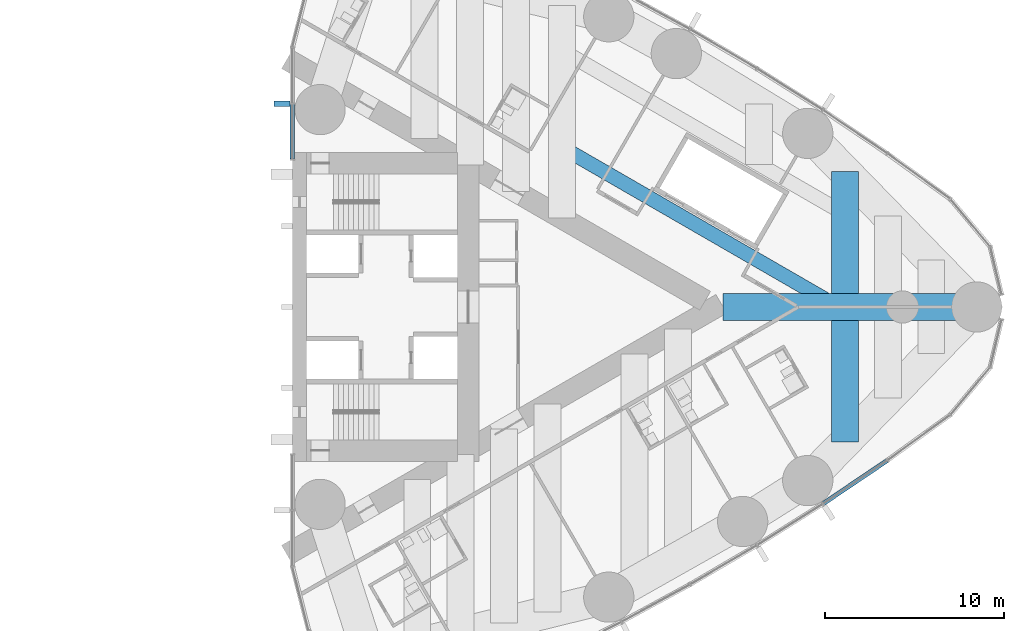
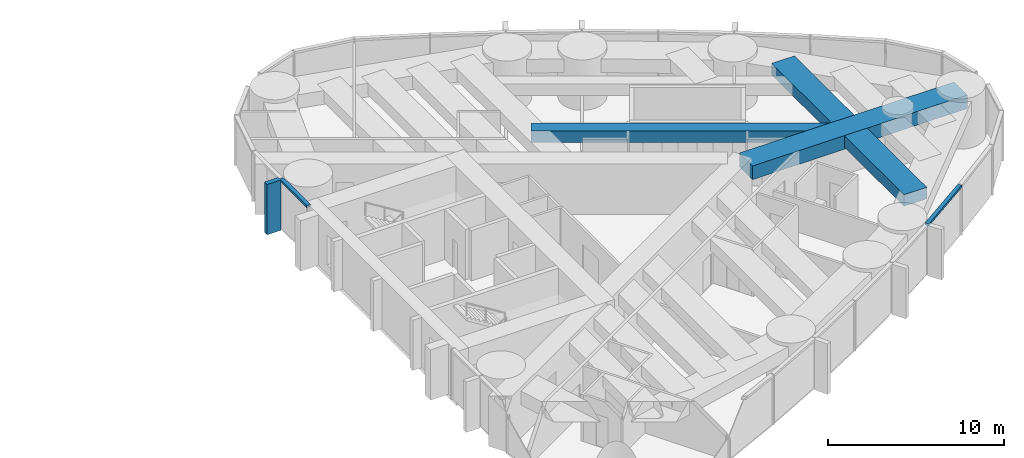
# One storey, part 7 of 19: 4 beams, 3 members, 2 elements without a shape of their own.
"""IFC4 building model written with IfcOpenShell, lengths in metres."""

from ifc_helpers import new_model, si_unit, direction, frame, origin, origin_2d, place, context, subcontext, project, spatial, rectangle, hollow_rectangle, extrude, material, material_profile, profile_set, type_object, element, aggregate, save


model = new_model("IFC4")

# Units and contexts
model_context = context("Model", 3, precision=1e-05, world=origin(), true_north=direction((0.0, 1.0)))
body_context = subcontext(model_context, "Body", "Model", "MODEL_VIEW")
ifc_project = project(units=[si_unit("LENGTHUNIT", "METRE"), si_unit("AREAUNIT", "SQUARE_METRE"), si_unit("VOLUMEUNIT", "CUBIC_METRE"), si_unit("PLANEANGLEUNIT", "RADIAN"), si_unit("MASSUNIT", "GRAM", prefix="KILO")], contexts=[model_context])

# Site, building, storey
site_placement = place(None, origin())
site = spatial("IfcSite", under=ifc_project, at=site_placement, CompositionType="ELEMENT")
building_placement = place(site_placement, origin())
building = spatial("IfcBuilding", under=site, at=building_placement, Name="Lancet Gate Hotel", CompositionType="ELEMENT")
storey_placement = place(building_placement, frame((0.0, 0.0, 173.800048828125)))
storey = spatial("IfcBuildingStorey", under=building, at=storey_placement, Name="L46", CompositionType="ELEMENT", Elevation=173.800048828125)

# Curtain wall, member
ifc_material_1 = material(Name="Aluminium curtain wall", Category="aluminium")
curtain_wall_type = type_object("IfcCurtainWallType", Name="Tower unitised curtain wall", PredefinedType="USERDEFINED", material=ifc_material_1)
curtain_wall_1_placement = place(storey_placement, origin())
curtain_wall_1 = element("IfcCurtainWall", 1, at=curtain_wall_1_placement, inside=storey, type_object=curtain_wall_type, Name="T2 L46 curtain wall 2", ObjectType="UNITISED CURTAIN WALL", PredefinedType="USERDEFINED")
ifc_material_2 = material(Name="Aluminium transom", Category="aluminium")
ifc_material_profile_1 = material_profile(ifc_material_2, rectangle(XDim=0.25, YDim=0.14990234375, at=origin_2d()), Name="TRANSOM 250x150")
ifc_profile_set_1 = profile_set([ifc_material_profile_1], Name="Aluminium transom")
member_type_1 = type_object("IfcMemberType", Name="Aluminium transom 250x150", PredefinedType="USERDEFINED", material=ifc_profile_set_1)
member_1_placement = place(storey_placement, frame((57.093994140625, -10.952880859375, 3.425048828125), z_axis=(0.829046850689, 0.559179147826, 0.0), x_axis=(-0.559179147826, 0.829046850689, 0.0)))
member_1 = element("IfcMember", 2, at=member_1_placement, type_object=member_type_1, Name="T2 L46 curtain wall 2 transom 8", ObjectType="TRANSOM", PredefinedType="USERDEFINED", context=body_context, shape_type="SweptSolid", body=[
    extrude(rectangle(XDim=0.25, YDim=0.14990234375, at=origin_2d()), origin(), (0.0, 0.0, 1.0), 4.26904296875),
])
aggregate(curtain_wall_1, [member_1])

# Curtain wall, members
curtain_wall_2_placement = place(storey_placement, origin())
curtain_wall_2 = element("IfcCurtainWall", 3, at=curtain_wall_2_placement, inside=storey, type_object=curtain_wall_type, Name="T2 L46 curtain wall 4", ObjectType="UNITISED CURTAIN WALL", PredefinedType="USERDEFINED")
member_2_placement = place(storey_placement, frame((27.5, 11.30029296875, 3.425048828125), z_axis=(0.0, -1.0, 0.0), x_axis=(1.0, 0.0, 0.0)))
member_2 = element("IfcMember", 4, at=member_2_placement, type_object=member_type_1, Name="T2 L46 curtain wall 4 transom 4", ObjectType="TRANSOM", PredefinedType="USERDEFINED", context=body_context, shape_type="SweptSolid", body=[
    extrude(rectangle(XDim=0.25, YDim=0.14990234375, at=origin_2d()), origin(), (0.0, 0.0, 1.0), 3.06787109375),
])
ifc_material_3 = material(Name="Precast concrete C50/60", Category="concrete")
ifc_material_profile_2 = material_profile(ifc_material_3, rectangle(XDim=0.300048828125, YDim=0.89990234375, at=origin_2d()), Name="FIN 300x900")
ifc_profile_set_2 = profile_set([ifc_material_profile_2], Name="Precast concrete C50/60")
member_type_2 = type_object("IfcMemberType", Name="Exposed concrete fin 300x900", PredefinedType="USERDEFINED", material=ifc_profile_set_2)
member_3_placement = place(storey_placement, frame((26.925048828125, 11.332763671875, 0.0), z_axis=(0.0, 0.0, 1.0), x_axis=(0.0, -1.0, 0.0)))
member_3 = element("IfcMember", 5, at=member_3_placement, type_object=member_type_2, Name="T2 L46 curtain wall 4 fin 4", ObjectType="FIN", PredefinedType="USERDEFINED", context=body_context, shape_type="SweptSolid", body=[
    extrude(rectangle(XDim=0.300048828125, YDim=0.89990234375, at=origin_2d()), origin(), (0.0, 0.0, 1.0), 3.5),
])
aggregate(curtain_wall_2, [member_3, member_2])

# Beams
ifc_material_4 = material(Name="Concrete C50/60", Category="concrete")
ifc_material_profile_3 = material_profile(ifc_material_4, rectangle(XDim=1.5, YDim=0.800048828125, at=origin_2d()), Name="RC 1500x800")
ifc_profile_set_3 = profile_set([ifc_material_profile_3], Name="Concrete C50/60")
beam_type_1 = type_object("IfcBeamType", Name="Floor beam RC 1500x800", PredefinedType="BEAM", material=ifc_profile_set_3)
for number, where, z_axis, x_axis, name in (
    (6, (58.30224609375, -7.534912109375, 2.849853515625), (0.0, 1.0, 0.0), (-1.0, 0.0, 0.0), "T2 floor beam F12S L46"),
    (7, (58.30224609375, 0.75, 2.849853515625), (0.0, 1.0, 0.0), (-1.0, 0.0, 0.0), "T2 floor beam F13N L46"),
):
    element("IfcBeam", number, at=place(storey_placement, frame(where, z_axis=z_axis, x_axis=x_axis)), inside=storey, type_object=beam_type_1, Name=name, PredefinedType="BEAM", context=body_context, shape_type="SweptSolid", body=[
        extrude(rectangle(XDim=1.5, YDim=0.800048828125, at=origin_2d()), origin(), (0.0, 0.0, 1.0), 6.784912109375),
    ])
ifc_material_5 = material(Name="Concrete C50/60", Category="concrete")
ifc_material_profile_4 = material_profile(ifc_material_5, rectangle(XDim=1.5, YDim=0.949951171875, at=origin_2d()), Name="RC 1500x950")
ifc_profile_set_4 = profile_set([ifc_material_profile_4], Name="Concrete C50/60")
beam_type_2 = type_object("IfcBeamType", Name="Radial floor beam RC 1500x950", PredefinedType="BEAM", material=ifc_profile_set_4)
beam_1_placement = place(storey_placement, frame((65.6396484375, 0.0, 2.77490234375), z_axis=(-1.0, 0.0, 0.0), x_axis=(0.0, -1.0, 0.0)))
element("IfcBeam", 8, at=beam_1_placement, inside=storey, type_object=beam_type_2, Name="T2 radial beam CA L46", PredefinedType="BEAM", context=body_context, shape_type="SweptSolid", body=[
    extrude(rectangle(XDim=1.5, YDim=0.949951171875, at=origin_2d()), origin(), (0.0, 0.0, 1.0), 14.137451171875),
])
ifc_material_6 = material(Name="Steel S460QL", Category="steel")
ifc_material_profile_5 = material_profile(ifc_material_6, hollow_rectangle(XDim=0.800048828125, YDim=0.800048828125, WallThickness=0.080078125, at=origin_2d()), Name="BOX 800x800x80")
ifc_profile_set_5 = profile_set([ifc_material_profile_5], Name="Steel S460QL")
beam_type_3 = type_object("IfcBeamType", Name="Trimmer beam BOX 800x800x80", PredefinedType="BEAM", material=ifc_profile_set_5)
beam_2_placement = place(storey_placement, frame((42.51904296875, 8.90185546875, 2.849853515625), z_axis=(0.865994419471, -0.500053662566, 0.0), x_axis=(0.500053662566, 0.865994419471, 0.0)))
element("IfcBeam", 9, at=beam_2_placement, inside=storey, type_object=beam_type_3, Name="T2 trimmer beam TR02N L46", PredefinedType="BEAM", context=body_context, shape_type="SweptSolid", body=[
    extrude(hollow_rectangle(XDim=0.800048828125, YDim=0.800048828125, WallThickness=0.080078125, at=origin_2d()), origin(), (0.0, 0.0, 1.0), 17.8017578125),
])

save(model, "model.ifc")
